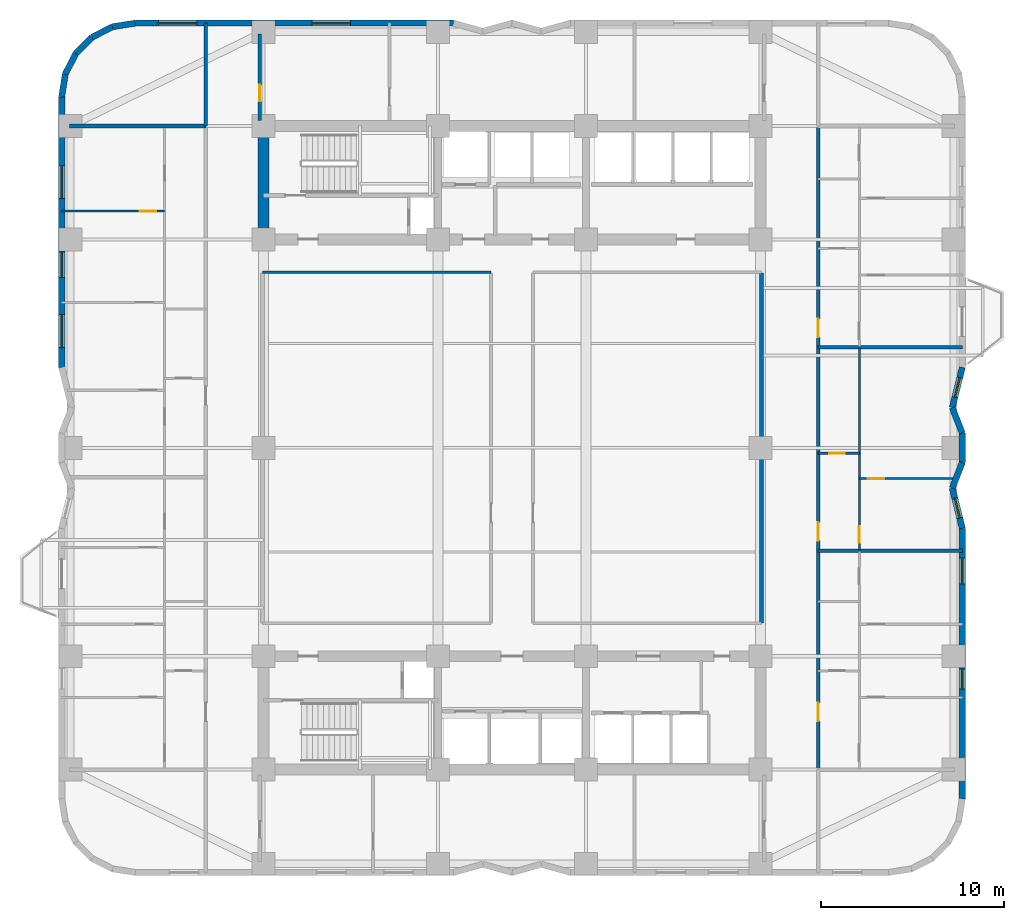
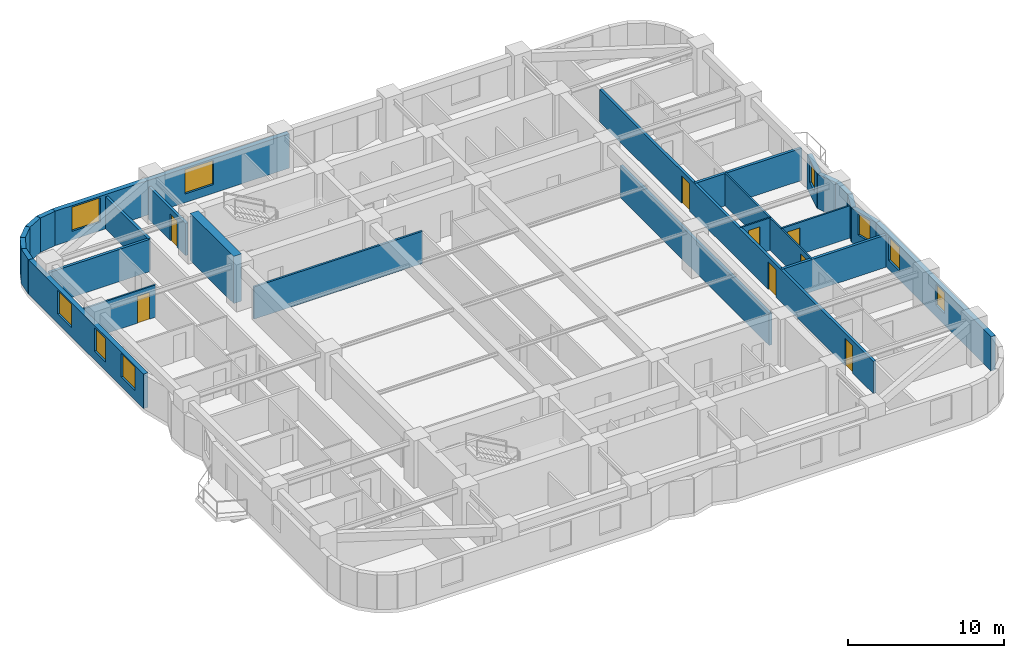
# One storey, part 5 of 9: 26 walls, 9 windows, 8 doors, 17 openings.
"""IFC4 building model written with IfcOpenShell, lengths in metres."""

from ifc_helpers import new_model, si_unit, direction, frame, frame_2d, origin, place, context, subcontext, project, spatial, rectangle, extrude, material, layer, layer_set, type_object, element, fill, save


model = new_model("IFC4")

# Units and contexts
model_context = context("Model", 3, precision=1e-05, world=origin(), true_north=direction((0.0, 1.0)))
body_context = subcontext(model_context, "Body", "Model", "MODEL_VIEW")
ifc_project = project(units=[si_unit("LENGTHUNIT", "METRE"), si_unit("AREAUNIT", "SQUARE_METRE"), si_unit("VOLUMEUNIT", "CUBIC_METRE"), si_unit("PLANEANGLEUNIT", "RADIAN"), si_unit("MASSUNIT", "GRAM", prefix="KILO")], contexts=[model_context])

# Site, building, storey
site_placement = place(None, origin())
site = spatial("IfcSite", under=ifc_project, at=site_placement, CompositionType="ELEMENT")
building_placement = place(site_placement, origin())
building = spatial("IfcBuilding", under=site, at=building_placement, Name="Svetorya Sky Lyceum", CompositionType="ELEMENT")
storey_placement = place(building_placement, frame((0.0, 0.0, 28.800048828125)))
storey = spatial("IfcBuildingStorey", under=building, at=storey_placement, Name="L06", CompositionType="ELEMENT", Elevation=28.800048828125)

# Wall
ifc_material_1 = material(Name="Concrete C60/75", Category="concrete")
ifc_layer_1 = layer(ifc_material_1, 0.60009765625)
ifc_layer_set_1 = layer_set([ifc_layer_1], Name="Concrete C60/75")
wall_type_1 = type_object("IfcWallType", Name="WL-CORE-600", PredefinedType="SHEAR", material=ifc_layer_set_1)
wall_1_placement = place(storey_placement, frame((25.60009765625, 39.89990234375, 0.0), z_axis=(0.0, 0.0, 1.0), x_axis=(0.0, 1.0, 0.0)))
element("IfcWall", 1, at=wall_1_placement, inside=storey, type_object=wall_type_1, Name="L06 NC West Core Shear Wall", PredefinedType="SHEAR", context=body_context, shape_type="SweptSolid", body=[
    extrude(rectangle(XDim=5.60009765625, YDim=0.60009765625, at=frame_2d((2.800048828125, 0.0))), origin(), (0.0, 0.0, 1.0), 3.699951171875),
])

# Wall, openings, windows
ifc_material_2 = material(Name="Putilovo limestone rainscreen on autoclaved cellular masonry", Category="masonry")
ifc_layer_2 = layer(ifc_material_2, 0.340087890625)
ifc_layer_set_2 = layer_set([ifc_layer_2], Name="Putilovo limestone rainscreen on autoclaved cellular masonry")
wall_type_2 = type_object("IfcWallType", Name="WL-EXT-340", PredefinedType="SOLIDWALL", material=ifc_layer_set_2)
wall_2_placement = place(storey_placement, frame((63.830078125, 9.0, 0.0), z_axis=(0.0, 0.0, 1.0), x_axis=(0.0, 1.0, 0.0)))
wall_2 = element("IfcWall", 2, at=wall_2_placement, inside=storey, type_object=wall_type_2, Name="L06 Limestone Exterior Wall 17M", PredefinedType="SOLIDWALL", context=body_context, shape_type="SweptSolid", body=[
    extrude(rectangle(XDim=14.800048828125, YDim=0.340087890625, at=frame_2d((7.39990234375, 0.0))), origin(), (0.0, 0.0, 1.0), 2.699951171875),
])
opening_1_placement = place(wall_2_placement, frame((6.0, 0.0, 0.889892578125)))
opening_1 = element("IfcOpeningElement", 3, at=opening_1_placement, cuts=wall_2, Name="Opening W-R3", PredefinedType="OPENING", context=body_context, shape_type="SweptSolid", body=[
    extrude(rectangle(XDim=1.10009765625, YDim=1.64990234375, at=frame_2d((0.550048828125, 0.824951171875))), frame((0.0, 0.179931640625, 0.0), z_axis=(0.0, -1.0, 0.0), x_axis=(1.0, 0.0, 0.0)), (0.0, 0.0, 1.0), 0.360107421875),
])
opening_2_placement = place(wall_2_placement, frame((11.762451171875, 0.0, 0.72998046875)))
opening_2 = element("IfcOpeningElement", 4, at=opening_2_placement, cuts=wall_2, Name="Opening W-R2", PredefinedType="OPENING", context=body_context, shape_type="SweptSolid", body=[
    extrude(rectangle(XDim=1.39990234375, YDim=1.85009765625, at=frame_2d((0.699951171875, 0.925048828125))), frame((0.0, 0.179931640625, 0.0), z_axis=(0.0, -1.0, 0.0), x_axis=(1.0, 0.0, 0.0)), (0.0, 0.0, 1.0), 0.360107421875),
])
ifc_material_3 = material(Name="Thermally broken aluminium frame with triple low-E glazing", Category="aluminium")
window_type_1 = type_object("IfcWindowType", Name="WN-RES-110", PartitioningType="SINGLE_PANEL", PredefinedType="WINDOW", material=ifc_material_3)
window_1_placement = place(opening_1_placement, origin())
window_1 = element("IfcWindow", 5, at=window_1_placement, inside=storey, type_object=window_type_1, Name="L06 Facade Window W-R3.17M.2", OverallHeight=1.64990234375, OverallWidth=1.10009765625, PartitioningType="SINGLE_PANEL", PredefinedType="WINDOW", context=body_context, shape_type="SweptSolid", body=[
    extrude(rectangle(XDim=1.10009765625, YDim=1.64990234375, at=frame_2d((0.550048828125, 0.824951171875))), frame((0.0, 0.030029296875, 0.0), z_axis=(0.0, -1.0, 0.0), x_axis=(1.0, 0.0, 0.0)), (0.0, 0.0, 1.0), 0.06005859375),
])
fill(opening_1, window_1)
window_type_2 = type_object("IfcWindowType", Name="WN-RES-140", PartitioningType="SINGLE_PANEL", PredefinedType="WINDOW", material=ifc_material_3)
window_2_placement = place(opening_2_placement, origin())
window_2 = element("IfcWindow", 6, at=window_2_placement, inside=storey, type_object=window_type_2, Name="L06 Facade Window W-R2.17M.1", OverallHeight=1.85009765625, OverallWidth=1.39990234375, PartitioningType="SINGLE_PANEL", PredefinedType="WINDOW", context=body_context, shape_type="SweptSolid", body=[
    extrude(rectangle(XDim=1.39990234375, YDim=1.85009765625, at=frame_2d((0.699951171875, 0.925048828125))), frame((0.0, 0.030029296875, 0.0), z_axis=(0.0, -1.0, 0.0), x_axis=(1.0, 0.0, 0.0)), (0.0, 0.0, 1.0), 0.06005859375),
])
fill(opening_2, window_2)

# Wall, opening, window
wall_3_placement = place(storey_placement, frame((63.830078125, 23.800048828125, 0.0), z_axis=(0.0, 0.0, 1.0), x_axis=(-0.242560957029, 0.970136166796, 0.0)))
wall_3 = element("IfcWall", 7, at=wall_3_placement, inside=storey, type_object=wall_type_2, Name="L06 Limestone Exterior Wall 18M", PredefinedType="SOLIDWALL", context=body_context, shape_type="SweptSolid", body=[
    extrude(rectangle(XDim=2.267578125, YDim=0.340087890625, at=frame_2d((1.1337890625, 0.0))), origin(), (0.0, 0.0, 1.0), 2.699951171875),
])
opening_3_placement = place(wall_3_placement, frame((0.583984375, 0.0, 0.889892578125)))
opening_3 = element("IfcOpeningElement", 8, at=opening_3_placement, cuts=wall_3, Name="Opening W-R3", PredefinedType="OPENING", context=body_context, shape_type="SweptSolid", body=[
    extrude(rectangle(XDim=1.10009765625, YDim=1.64990234375, at=frame_2d((0.550048828125, 0.824951171875))), frame((0.0, 0.179931640625, 0.0), z_axis=(0.0, -1.0, 0.0), x_axis=(1.0, 0.0, 0.0)), (0.0, 0.0, 1.0), 0.360107421875),
])
window_3_placement = place(opening_3_placement, origin())
window_3 = element("IfcWindow", 9, at=window_3_placement, inside=storey, type_object=window_type_1, Name="L06 Facade Window W-R3.18M.1", OverallHeight=1.64990234375, OverallWidth=1.10009765625, PartitioningType="SINGLE_PANEL", PredefinedType="WINDOW", context=body_context, shape_type="SweptSolid", body=[
    extrude(rectangle(XDim=1.10009765625, YDim=1.64990234375, at=frame_2d((0.550048828125, 0.824951171875))), frame((0.0, 0.030029296875, 0.0), z_axis=(0.0, -1.0, 0.0), x_axis=(1.0, 0.0, 0.0)), (0.0, 0.0, 1.0), 0.06005859375),
])
fill(opening_3, window_3)

# Walls
wall_4_placement = place(storey_placement, frame((63.280029296875, 26.0, 0.0), z_axis=(0.0, 0.0, 1.0), x_axis=(0.365702591843, 0.930731762818, 0.0)))
element("IfcWall", 10, at=wall_4_placement, inside=storey, type_object=wall_type_2, Name="L06 Limestone Exterior Wall 19M", PredefinedType="SOLIDWALL", context=body_context, shape_type="SweptSolid", body=[
    extrude(rectangle(XDim=1.504150390625, YDim=0.340087890625, at=frame_2d((0.751953125, 0.0))), origin(), (0.0, 0.0, 1.0), 2.699951171875),
])
wall_5_placement = place(storey_placement, frame((63.830078125, 27.39990234375, 0.0), z_axis=(0.0, 0.0, 1.0), x_axis=(0.0, 1.0, 0.0)))
element("IfcWall", 11, at=wall_5_placement, inside=storey, type_object=wall_type_2, Name="L06 Limestone Exterior Wall 20M", PredefinedType="SOLIDWALL", context=body_context, shape_type="SweptSolid", body=[
    extrude(rectangle(XDim=1.60009765625, YDim=0.340087890625, at=frame_2d((0.800048828125, 0.0))), origin(), (0.0, 0.0, 1.0), 2.699951171875),
])
wall_6_placement = place(storey_placement, frame((63.830078125, 29.0, 0.0), z_axis=(0.0, 0.0, 1.0), x_axis=(-0.365702591843, 0.930731762818, 0.0)))
element("IfcWall", 12, at=wall_6_placement, inside=storey, type_object=wall_type_2, Name="L06 Limestone Exterior Wall 21M", PredefinedType="SOLIDWALL", context=body_context, shape_type="SweptSolid", body=[
    extrude(rectangle(XDim=1.504150390625, YDim=0.340087890625, at=frame_2d((0.751953125, 0.0))), origin(), (0.0, 0.0, 1.0), 2.699951171875),
])

# Wall, opening, window
wall_7_placement = place(storey_placement, frame((63.280029296875, 30.39990234375, 0.0), z_axis=(0.0, 0.0, 1.0), x_axis=(0.242535625036, 0.970142500145, 0.0)))
wall_7 = element("IfcWall", 13, at=wall_7_placement, inside=storey, type_object=wall_type_2, Name="L06 Limestone Exterior Wall 22M", PredefinedType="SOLIDWALL", context=body_context, shape_type="SweptSolid", body=[
    extrude(rectangle(XDim=2.267822265625, YDim=0.340087890625, at=frame_2d((1.1337890625, 0.0))), origin(), (0.0, 0.0, 1.0), 2.699951171875),
])
opening_4_placement = place(wall_7_placement, frame((0.583984375, 0.0, 0.889892578125)))
opening_4 = element("IfcOpeningElement", 14, at=opening_4_placement, cuts=wall_7, Name="Opening W-R3", PredefinedType="OPENING", context=body_context, shape_type="SweptSolid", body=[
    extrude(rectangle(XDim=1.10009765625, YDim=1.64990234375, at=frame_2d((0.550048828125, 0.824951171875))), frame((0.0, 0.179931640625, 0.0), z_axis=(0.0, -1.0, 0.0), x_axis=(1.0, 0.0, 0.0)), (0.0, 0.0, 1.0), 0.360107421875),
])
window_4_placement = place(opening_4_placement, origin())
window_4 = element("IfcWindow", 15, at=window_4_placement, inside=storey, type_object=window_type_1, Name="L06 Facade Window W-R3.22M.1", OverallHeight=1.64990234375, OverallWidth=1.10009765625, PartitioningType="SINGLE_PANEL", PredefinedType="WINDOW", context=body_context, shape_type="SweptSolid", body=[
    extrude(rectangle(XDim=1.10009765625, YDim=1.64990234375, at=frame_2d((0.550048828125, 0.824951171875))), frame((0.0, 0.030029296875, 0.0), z_axis=(0.0, -1.0, 0.0), x_axis=(1.0, 0.0, 0.0)), (0.0, 0.0, 1.0), 0.06005859375),
])
fill(opening_4, window_4)

# Wall, openings, windows
wall_8_placement = place(storey_placement, frame((36.0, 51.429931640625, 0.0), z_axis=(0.0, 0.0, 1.0), x_axis=(-1.0, 0.0, 0.0)))
wall_8 = element("IfcWall", 16, at=wall_8_placement, inside=storey, type_object=wall_type_2, Name="L06 Limestone Exterior Wall 34M", PredefinedType="SOLIDWALL", context=body_context, shape_type="SweptSolid", body=[
    extrude(rectangle(XDim=17.39990234375, YDim=0.340087890625, at=frame_2d((8.699951171875, 0.0))), origin(), (0.0, 0.0, 1.0), 2.699951171875),
])
opening_5_placement = place(wall_8_placement, frame((5.637451171875, 0.0, 0.679931640625)))
opening_5 = element("IfcOpeningElement", 17, at=opening_5_placement, cuts=wall_8, Name="Opening W-R0", PredefinedType="OPENING", context=body_context, shape_type="SweptSolid", body=[
    extrude(rectangle(XDim=2.10009765625, YDim=1.89990234375, at=frame_2d((1.050048828125, 0.949951171875))), frame((0.0, 0.179931640625, 0.0), z_axis=(0.0, -1.0, 0.0), x_axis=(1.0, 0.0, 0.0)), (0.0, 0.0, 1.0), 0.360107421875),
])
opening_6_placement = place(wall_8_placement, frame((14.03759765625, 0.0, 0.679931640625)))
opening_6 = element("IfcOpeningElement", 18, at=opening_6_placement, cuts=wall_8, Name="Opening W-R0", PredefinedType="OPENING", context=body_context, shape_type="SweptSolid", body=[
    extrude(rectangle(XDim=2.10009765625, YDim=1.89990234375, at=frame_2d((1.050048828125, 0.949951171875))), frame((0.0, 0.179931640625, 0.0), z_axis=(0.0, -1.0, 0.0), x_axis=(1.0, 0.0, 0.0)), (0.0, 0.0, 1.0), 0.360107421875),
])
window_type_3 = type_object("IfcWindowType", Name="WN-RES-210", PartitioningType="TRIPLE_PANEL_VERTICAL", PredefinedType="WINDOW", material=ifc_material_3)
window_5_placement = place(opening_5_placement, origin())
window_5 = element("IfcWindow", 19, at=window_5_placement, inside=storey, type_object=window_type_3, Name="L06 Facade Window W-R0.34M.1", OverallHeight=1.89990234375, OverallWidth=2.10009765625, PartitioningType="SINGLE_PANEL", PredefinedType="WINDOW", context=body_context, shape_type="SweptSolid", body=[
    extrude(rectangle(XDim=2.10009765625, YDim=1.89990234375, at=frame_2d((1.050048828125, 0.949951171875))), frame((0.0, 0.030029296875, 0.0), z_axis=(0.0, -1.0, 0.0), x_axis=(1.0, 0.0, 0.0)), (0.0, 0.0, 1.0), 0.06005859375),
])
fill(opening_5, window_5)
window_6_placement = place(opening_6_placement, origin())
window_6 = element("IfcWindow", 20, at=window_6_placement, inside=storey, type_object=window_type_3, Name="L06 Facade Window W-R0.34M.2", OverallHeight=1.89990234375, OverallWidth=2.10009765625, PartitioningType="SINGLE_PANEL", PredefinedType="WINDOW", context=body_context, shape_type="SweptSolid", body=[
    extrude(rectangle(XDim=2.10009765625, YDim=1.89990234375, at=frame_2d((1.050048828125, 0.949951171875))), frame((0.0, 0.030029296875, 0.0), z_axis=(0.0, -1.0, 0.0), x_axis=(1.0, 0.0, 0.0)), (0.0, 0.0, 1.0), 0.06005859375),
])
fill(opening_6, window_6)

# Walls
wall_9_placement = place(storey_placement, frame((18.60009765625, 51.429931640625, 0.0), z_axis=(0.0, 0.0, 1.0), x_axis=(-0.98771582066, -0.156260864002, 0.0)))
element("IfcWall", 21, at=wall_9_placement, inside=storey, type_object=wall_type_2, Name="L06 Limestone Exterior Wall 35M", PredefinedType="SOLIDWALL", context=body_context, shape_type="SweptSolid", body=[
    extrude(rectangle(XDim=1.2607421875, YDim=0.340087890625, at=frame_2d((0.63037109375, 0.0))), origin(), (0.0, 0.0, 1.0), 2.699951171875),
])
for number, where, z_axis, x_axis, name in (
    (22, (17.354736328125, 51.23291015625, 0.0), (0.0, 0.0, 1.0), (-0.890993689142, -0.454015689056, 0.0), "L06 Limestone Exterior Wall 36M"),
    (23, (16.231201171875, 50.660400390625, 0.0), (0.0, 0.0, 1.0), (-0.707106781187, -0.707106781187, 0.0), "L06 Limestone Exterior Wall 37M"),
    (24, (15.339599609375, 49.768798828125, 0.0), (0.0, 0.0, 1.0), (-0.454015689056, -0.890993689142, 0.0), "L06 Limestone Exterior Wall 38M"),
):
    element("IfcWall", number, at=place(storey_placement, frame(where, z_axis=z_axis, x_axis=x_axis)), inside=storey, type_object=wall_type_2, Name=name, PredefinedType="SOLIDWALL", context=body_context, shape_type="SweptSolid", body=[
        extrude(rectangle(XDim=1.260986328125, YDim=0.340087890625, at=frame_2d((0.63037109375, 0.0))), origin(), (0.0, 0.0, 1.0), 2.699951171875),
    ])
wall_10_placement = place(storey_placement, frame((14.76708984375, 48.645263671875, 0.0), z_axis=(0.0, 0.0, 1.0), x_axis=(-0.156260864002, -0.98771582066, 0.0)))
element("IfcWall", 25, at=wall_10_placement, inside=storey, type_object=wall_type_2, Name="L06 Limestone Exterior Wall 39M", PredefinedType="SOLIDWALL", context=body_context, shape_type="SweptSolid", body=[
    extrude(rectangle(XDim=1.2607421875, YDim=0.340087890625, at=frame_2d((0.63037109375, 0.0))), origin(), (0.0, 0.0, 1.0), 2.699951171875),
])

# Wall, openings, windows
wall_11_placement = place(storey_placement, frame((14.570068359375, 47.39990234375, 0.0), z_axis=(0.0, 0.0, 1.0), x_axis=(0.0, -1.0, 0.0)))
wall_11 = element("IfcWall", 26, at=wall_11_placement, inside=storey, type_object=wall_type_2, Name="L06 Limestone Exterior Wall 40M", PredefinedType="SOLIDWALL", context=body_context, shape_type="SweptSolid", body=[
    extrude(rectangle(XDim=14.7998046875, YDim=0.340087890625, at=frame_2d((7.39990234375, 0.0))), origin(), (0.0, 0.0, 1.0), 2.699951171875),
])
opening_7_placement = place(wall_11_placement, frame((3.762451171875, 0.0, 0.72998046875)))
opening_7 = element("IfcOpeningElement", 27, at=opening_7_placement, cuts=wall_11, Name="Opening W-R1", PredefinedType="OPENING", context=body_context, shape_type="SweptSolid", body=[
    extrude(rectangle(XDim=1.800048828125, YDim=1.85009765625, at=frame_2d((0.89990234375, 0.925048828125))), frame((0.0, 0.179931640625, 0.0), z_axis=(0.0, -1.0, 0.0), x_axis=(1.0, 0.0, 0.0)), (0.0, 0.0, 1.0), 0.360107421875),
])
opening_8_placement = place(wall_11_placement, frame((8.47998046875, 0.0, 0.68994140625)))
opening_8 = element("IfcOpeningElement", 28, at=opening_8_placement, cuts=wall_11, Name="Opening W-R2", PredefinedType="OPENING", context=body_context, shape_type="SweptSolid", body=[
    extrude(rectangle(XDim=1.39990234375, YDim=1.85009765625, at=frame_2d((0.699951171875, 0.925048828125))), frame((0.0, 0.179931640625, 0.0), z_axis=(0.0, -1.0, 0.0), x_axis=(1.0, 0.0, 0.0)), (0.0, 0.0, 1.0), 0.360107421875),
])
opening_9_placement = place(wall_11_placement, frame((11.91259765625, 0.0, 0.72998046875)))
opening_9 = element("IfcOpeningElement", 29, at=opening_9_placement, cuts=wall_11, Name="Opening W-R1", PredefinedType="OPENING", context=body_context, shape_type="SweptSolid", body=[
    extrude(rectangle(XDim=1.800048828125, YDim=1.85009765625, at=frame_2d((0.89990234375, 0.925048828125))), frame((0.0, 0.179931640625, 0.0), z_axis=(0.0, -1.0, 0.0), x_axis=(1.0, 0.0, 0.0)), (0.0, 0.0, 1.0), 0.360107421875),
])
window_7_placement = place(opening_8_placement, origin())
window_7 = element("IfcWindow", 30, at=window_7_placement, inside=storey, type_object=window_type_2, Name="L06 Facade Window W-R2.40M.3", OverallHeight=1.85009765625, OverallWidth=1.39990234375, PartitioningType="SINGLE_PANEL", PredefinedType="WINDOW", context=body_context, shape_type="SweptSolid", body=[
    extrude(rectangle(XDim=1.39990234375, YDim=1.85009765625, at=frame_2d((0.699951171875, 0.925048828125))), frame((0.0, 0.030029296875, 0.0), z_axis=(0.0, -1.0, 0.0), x_axis=(1.0, 0.0, 0.0)), (0.0, 0.0, 1.0), 0.06005859375),
])
fill(opening_8, window_7)
window_type_4 = type_object("IfcWindowType", Name="WN-RES-180", PartitioningType="DOUBLE_PANEL_VERTICAL", PredefinedType="WINDOW", material=ifc_material_3)
window_8_placement = place(opening_7_placement, origin())
window_8 = element("IfcWindow", 31, at=window_8_placement, inside=storey, type_object=window_type_4, Name="L06 Facade Window W-R1.40M.1", OverallHeight=1.85009765625, OverallWidth=1.800048828125, PartitioningType="SINGLE_PANEL", PredefinedType="WINDOW", context=body_context, shape_type="SweptSolid", body=[
    extrude(rectangle(XDim=1.800048828125, YDim=1.85009765625, at=frame_2d((0.89990234375, 0.925048828125))), frame((0.0, 0.030029296875, 0.0), z_axis=(0.0, -1.0, 0.0), x_axis=(1.0, 0.0, 0.0)), (0.0, 0.0, 1.0), 0.06005859375),
])
fill(opening_7, window_8)
window_9_placement = place(opening_9_placement, origin())
window_9 = element("IfcWindow", 32, at=window_9_placement, inside=storey, type_object=window_type_4, Name="L06 Facade Window W-R1.40M.2", OverallHeight=1.85009765625, OverallWidth=1.800048828125, PartitioningType="SINGLE_PANEL", PredefinedType="WINDOW", context=body_context, shape_type="SweptSolid", body=[
    extrude(rectangle(XDim=1.800048828125, YDim=1.85009765625, at=frame_2d((0.89990234375, 0.925048828125))), frame((0.0, 0.030029296875, 0.0), z_axis=(0.0, -1.0, 0.0), x_axis=(1.0, 0.0, 0.0)), (0.0, 0.0, 1.0), 0.06005859375),
])
fill(opening_9, window_9)

# Wall, opening, door
ifc_material_4 = material(Name="Twin-stud galvanized framing with double fireboard", Category="gypsum")
ifc_layer_3 = layer(ifc_material_4, 0.1201171875)
ifc_layer_set_3 = layer_set([ifc_layer_3], Name="Twin-stud galvanized framing with double fireboard")
wall_type_3 = type_object("IfcWallType", Name="WL-PART-120", PredefinedType="PARTITIONING", material=ifc_layer_set_3)
wall_12_placement = place(storey_placement, frame((14.570068359375, 41.14990234375, 0.0), z_axis=(0.0, 0.0, 1.0), x_axis=(1.0, 0.0, 0.0)))
wall_12 = element("IfcWall", 33, at=wall_12_placement, inside=storey, type_object=wall_type_3, Name="L06 Interior Partition W2-WL3", PredefinedType="PARTITIONING", context=body_context, shape_type="SweptSolid", body=[
    extrude(rectangle(XDim=5.6298828125, YDim=0.1201171875, at=frame_2d((2.81494140625, 0.0))), origin(), (0.0, 0.0, 1.0), 2.530029296875),
])
opening_10_placement = place(wall_12_placement, frame((4.280029296875, 0.0, 0.0)))
opening_10 = element("IfcOpeningElement", 34, at=opening_10_placement, cuts=wall_12, Name="Opening D-RM1", PredefinedType="OPENING", context=body_context, shape_type="SweptSolid", body=[
    extrude(rectangle(XDim=0.89990234375, YDim=2.10009765625, at=frame_2d((0.449951171875, 1.050048828125))), frame((0.0, 0.070068359375, 0.0), z_axis=(0.0, -1.0, 0.0), x_axis=(1.0, 0.0, 0.0)), (0.0, 0.0, 1.0), 0.14013671875),
])
ifc_material_5 = material(Name="Lacquered birch veneer internal door")
door_type_1 = type_object("IfcDoorType", Name="DR-INT-900", OperationType="SINGLE_SWING_LEFT", PredefinedType="DOOR", material=ifc_material_5)
door_1_placement = place(opening_10_placement, origin())
door_1 = element("IfcDoor", 35, at=door_1_placement, inside=storey, type_object=door_type_1, Name="Apartment W2 Bedroom 3 Door", OperationType="SINGLE_SWING_RIGHT", OverallHeight=2.10009765625, OverallWidth=0.89990234375, PredefinedType="DOOR", context=body_context, shape_type="SweptSolid", body=[
    extrude(rectangle(XDim=0.89990234375, YDim=2.10009765625, at=frame_2d((0.449951171875, 1.050048828125))), frame((0.0, 0.02490234375, 0.0), z_axis=(0.0, -1.0, 0.0), x_axis=(1.0, 0.0, 0.0)), (0.0, 0.0, 1.0), 0.050048828125),
])
fill(opening_10, door_1)

wall_13_placement = place(storey_placement, frame((55.949951171875, 27.907958984375, 0.0), z_axis=(0.0, 0.0, 1.0), x_axis=(1.0, 0.0, 0.0)))
wall_13 = element("IfcWall", 36, at=wall_13_placement, inside=storey, type_object=wall_type_3, Name="L06 Interior Partition E2-WH1", PredefinedType="PARTITIONING", context=body_context, shape_type="SweptSolid", body=[
    extrude(rectangle(XDim=2.25, YDim=0.1201171875, at=frame_2d((1.125, 0.0))), origin(), (0.0, 0.0, 1.0), 2.530029296875),
])
opening_11_placement = place(wall_13_placement, frame((0.60009765625, 0.0, 0.0)))
opening_11 = element("IfcOpeningElement", 37, at=opening_11_placement, cuts=wall_13, Name="Opening D-BT1", PredefinedType="OPENING", context=body_context, shape_type="SweptSolid", body=[
    extrude(rectangle(XDim=0.85009765625, YDim=2.10009765625, at=frame_2d((0.425048828125, 1.050048828125))), frame((0.0, 0.070068359375, 0.0), z_axis=(0.0, -1.0, 0.0), x_axis=(1.0, 0.0, 0.0)), (0.0, 0.0, 1.0), 0.14013671875),
])
ifc_material_6 = material(Name="Moisture-resistant laminate bathroom door")
door_type_2 = type_object("IfcDoorType", Name="DR-WET-850", OperationType="SINGLE_SWING_LEFT", PredefinedType="DOOR", material=ifc_material_6)
door_2_placement = place(opening_11_placement, origin())
door_2 = element("IfcDoor", 38, at=door_2_placement, inside=storey, type_object=door_type_2, Name="Apartment E2 Bathroom Door", OperationType="SINGLE_SWING_LEFT", OverallHeight=2.10009765625, OverallWidth=0.85009765625, PredefinedType="DOOR", context=body_context, shape_type="SweptSolid", body=[
    extrude(rectangle(XDim=0.85009765625, YDim=2.10009765625, at=frame_2d((0.425048828125, 1.050048828125))), frame((0.0, 0.02490234375, 0.0), z_axis=(0.0, -1.0, 0.0), x_axis=(1.0, 0.0, 0.0)), (0.0, 0.0, 1.0), 0.050048828125),
])
fill(opening_11, door_2)

wall_14_placement = place(storey_placement, frame((58.199951171875, 26.51806640625, 0.0), z_axis=(0.0, 0.0, 1.0), x_axis=(1.0, 0.0, 0.0)))
wall_14 = element("IfcWall", 39, at=wall_14_placement, inside=storey, type_object=wall_type_3, Name="L06 Interior Partition E2-WL1", PredefinedType="PARTITIONING", context=body_context, shape_type="SweptSolid", body=[
    extrude(rectangle(XDim=5.283447265625, YDim=0.1201171875, at=frame_2d((2.6416015625, 0.0))), origin(), (0.0, 0.0, 1.0), 2.530029296875),
])
opening_12_placement = place(wall_14_placement, frame((0.449951171875, 0.0, 0.0)))
opening_12 = element("IfcOpeningElement", 40, at=opening_12_placement, cuts=wall_14, Name="Opening D-RM1", PredefinedType="OPENING", context=body_context, shape_type="SweptSolid", body=[
    extrude(rectangle(XDim=0.89990234375, YDim=2.10009765625, at=frame_2d((0.449951171875, 1.050048828125))), frame((0.0, 0.070068359375, 0.0), z_axis=(0.0, -1.0, 0.0), x_axis=(1.0, 0.0, 0.0)), (0.0, 0.0, 1.0), 0.14013671875),
])
door_3_placement = place(opening_12_placement, origin())
door_3 = element("IfcDoor", 41, at=door_3_placement, inside=storey, type_object=door_type_1, Name="Apartment E2 Bedroom 1 Door", OperationType="SINGLE_SWING_LEFT", OverallHeight=2.10009765625, OverallWidth=0.89990234375, PredefinedType="DOOR", context=body_context, shape_type="SweptSolid", body=[
    extrude(rectangle(XDim=0.89990234375, YDim=2.10009765625, at=frame_2d((0.449951171875, 1.050048828125))), frame((0.0, 0.02490234375, 0.0), z_axis=(0.0, -1.0, 0.0), x_axis=(1.0, 0.0, 0.0)), (0.0, 0.0, 1.0), 0.050048828125),
])
fill(opening_12, door_3)

wall_15_placement = place(storey_placement, frame((58.199951171875, 22.60791015625, 0.0), z_axis=(0.0, 0.0, 1.0), x_axis=(0.0, 1.0, 0.0)))
wall_15 = element("IfcWall", 42, at=wall_15_placement, inside=storey, type_object=wall_type_3, Name="L06 Interior Partition E2-WV", PredefinedType="PARTITIONING", context=body_context, shape_type="SweptSolid", body=[
    extrude(rectangle(XDim=11.052001953125, YDim=0.1201171875, at=frame_2d((5.52587890625, 0.0))), origin(), (0.0, 0.0, 1.0), 2.530029296875),
])
opening_13_placement = place(wall_15_placement, frame((0.409912109375, 0.0, 0.0)))
opening_13 = element("IfcOpeningElement", 43, at=opening_13_placement, cuts=wall_15, Name="Opening D-RM1", PredefinedType="OPENING", context=body_context, shape_type="SweptSolid", body=[
    extrude(rectangle(XDim=0.89990234375, YDim=2.10009765625, at=frame_2d((0.449951171875, 1.050048828125))), frame((0.0, 0.070068359375, 0.0), z_axis=(0.0, -1.0, 0.0), x_axis=(1.0, 0.0, 0.0)), (0.0, 0.0, 1.0), 0.14013671875),
])
door_4_placement = place(opening_13_placement, origin())
door_4 = element("IfcDoor", 44, at=door_4_placement, inside=storey, type_object=door_type_1, Name="Apartment E2 Living Door", OperationType="SINGLE_SWING_RIGHT", OverallHeight=2.10009765625, OverallWidth=0.89990234375, PredefinedType="DOOR", context=body_context, shape_type="SweptSolid", body=[
    extrude(rectangle(XDim=0.89990234375, YDim=2.10009765625, at=frame_2d((0.449951171875, 1.050048828125))), frame((0.0, 0.02490234375, 0.0), z_axis=(0.0, -1.0, 0.0), x_axis=(1.0, 0.0, 0.0)), (0.0, 0.0, 1.0), 0.050048828125),
])
fill(opening_13, door_4)

# Walls
ifc_material_7 = material(Name="Autoclaved cellular masonry blockwork with acoustic render", Category="masonry")
ifc_layer_4 = layer(ifc_material_7, 0.14990234375)
ifc_layer_set_4 = layer_set([ifc_layer_4], Name="Autoclaved cellular masonry blockwork with acoustic render")
wall_type_4 = type_object("IfcWallType", Name="WL-PART-150", PredefinedType="PARTITIONING", material=ifc_layer_set_4)
wall_16_placement = place(storey_placement, frame((25.550048828125, 37.800048828125, 0.0), z_axis=(0.0, 0.0, 1.0), x_axis=(1.0, 0.0, 0.0)))
element("IfcWall", 45, at=wall_16_placement, inside=storey, type_object=wall_type_4, Name="L06 Interior Partition CN-MID-W", PredefinedType="PARTITIONING", context=body_context, shape_type="SweptSolid", body=[
    extrude(rectangle(XDim=12.5, YDim=0.14990234375, at=frame_2d((6.25, 0.0))), origin(), (0.0, 0.0, 1.0), 2.530029296875),
])
ifc_material_8 = material(Name="Autoclaved cellular masonry blockwork with gypsum plaster", Category="masonry")
ifc_layer_5 = layer(ifc_material_8, 0.199951171875)
ifc_layer_set_5 = layer_set([ifc_layer_5], Name="Autoclaved cellular masonry blockwork with gypsum plaster")
wall_type_5 = type_object("IfcWallType", Name="WL-PART-200", PredefinedType="PARTITIONING", material=ifc_layer_set_5)
wall_17_placement = place(storey_placement, frame((52.85009765625, 18.6298828125, 0.0), z_axis=(0.0, 0.0, 1.0), x_axis=(0.0, 1.0, 0.0)))
element("IfcWall", 46, at=wall_17_placement, inside=storey, type_object=wall_type_5, Name="L06 Interior Partition E-CEN-SEP", PredefinedType="PARTITIONING", context=body_context, shape_type="SweptSolid", body=[
    extrude(rectangle(XDim=19.14013671875, YDim=0.199951171875, at=frame_2d((9.570068359375, 0.0))), origin(), (0.0, 0.0, 1.0), 2.530029296875),
])
wall_18_placement = place(storey_placement, frame((14.989990234375, 45.800048828125, 0.0), z_axis=(0.0, 0.0, 1.0), x_axis=(1.0, 0.0, 0.0)))
element("IfcWall", 47, at=wall_18_placement, inside=storey, type_object=wall_type_5, Name="L06 Interior Partition W-CAP-N", PredefinedType="PARTITIONING", context=body_context, shape_type="SweptSolid", body=[
    extrude(rectangle(XDim=7.4599609375, YDim=0.199951171875, at=frame_2d((3.72998046875, 0.0))), origin(), (0.0, 0.0, 1.0), 2.530029296875),
])
for number, where, z_axis, x_axis, name in (
    (48, (55.949951171875, 22.568115234375, 0.0), (0.0, 0.0, 1.0), (1.0, 0.0, 0.0), "L06 Interior Partition E-PARTY-1"),
    (49, (55.949951171875, 33.699951171875, 0.0), (0.0, 0.0, 1.0), (1.0, 0.0, 0.0), "L06 Interior Partition E-PARTY-2"),
):
    element("IfcWall", number, at=place(storey_placement, frame(where, z_axis=z_axis, x_axis=x_axis)), inside=storey, type_object=wall_type_5, Name=name, PredefinedType="PARTITIONING", context=body_context, shape_type="SweptSolid", body=[
        extrude(rectangle(XDim=7.880126953125, YDim=0.199951171875, at=frame_2d((3.93994140625, 0.0))), origin(), (0.0, 0.0, 1.0), 2.530029296875),
    ])

# Wall, openings, doors
wall_19_placement = place(storey_placement, frame((55.949951171875, 10.60009765625, 0.0), z_axis=(0.0, 0.0, 1.0), x_axis=(0.0, 1.0, 0.0)))
wall_19 = element("IfcWall", 50, at=wall_19_placement, inside=storey, type_object=wall_type_5, Name="L06 Interior Partition E-CORRW", PredefinedType="PARTITIONING", context=body_context, shape_type="SweptSolid", body=[
    extrude(rectangle(XDim=35.199951171875, YDim=0.199951171875, at=frame_2d((17.60009765625, 0.0))), origin(), (0.0, 0.0, 1.0), 2.530029296875),
])
opening_14_placement = place(wall_19_placement, frame((2.64990234375, 0.0, 0.0)))
opening_14 = element("IfcOpeningElement", 51, at=opening_14_placement, cuts=wall_19, Name="Opening D-APT1", PredefinedType="OPENING", context=body_context, shape_type="SweptSolid", body=[
    extrude(rectangle(XDim=1.0, YDim=2.14990234375, at=frame_2d((0.5, 1.074951171875))), frame((0.0, 0.10986328125, 0.0), z_axis=(0.0, -1.0, 0.0), x_axis=(1.0, 0.0, 0.0)), (0.0, 0.0, 1.0), 0.219970703125),
])
opening_15_placement = place(wall_19_placement, frame((12.51806640625, 0.0, 0.0)))
opening_15 = element("IfcOpeningElement", 52, at=opening_15_placement, cuts=wall_19, Name="Opening D-APT1", PredefinedType="OPENING", context=body_context, shape_type="SweptSolid", body=[
    extrude(rectangle(XDim=1.0, YDim=2.14990234375, at=frame_2d((0.5, 1.074951171875))), frame((0.0, 0.10986328125, 0.0), z_axis=(0.0, -1.0, 0.0), x_axis=(1.0, 0.0, 0.0)), (0.0, 0.0, 1.0), 0.219970703125),
])
opening_16_placement = place(wall_19_placement, frame((23.64990234375, 0.0, 0.0)))
opening_16 = element("IfcOpeningElement", 53, at=opening_16_placement, cuts=wall_19, Name="Opening D-APT1", PredefinedType="OPENING", context=body_context, shape_type="SweptSolid", body=[
    extrude(rectangle(XDim=1.0, YDim=2.14990234375, at=frame_2d((0.5, 1.074951171875))), frame((0.0, 0.10986328125, 0.0), z_axis=(0.0, -1.0, 0.0), x_axis=(1.0, 0.0, 0.0)), (0.0, 0.0, 1.0), 0.219970703125),
])
ifc_material_9 = material(Name="Insulated oak-veneered apartment entrance door")
door_type_3 = type_object("IfcDoorType", Name="DR-APT-1000", OperationType="SINGLE_SWING_LEFT", PredefinedType="DOOR", material=ifc_material_9)
door_5_placement = place(opening_14_placement, origin())
door_5 = element("IfcDoor", 54, at=door_5_placement, inside=storey, type_object=door_type_3, Name="L06 Apartment E1 Entrance Door", OperationType="SINGLE_SWING_RIGHT", OverallHeight=2.14990234375, OverallWidth=1.0, PredefinedType="DOOR", context=body_context, shape_type="SweptSolid", body=[
    extrude(rectangle(XDim=1.0, YDim=2.14990234375, at=frame_2d((0.5, 1.074951171875))), frame((0.0, 0.02490234375, 0.0), z_axis=(0.0, -1.0, 0.0), x_axis=(1.0, 0.0, 0.0)), (0.0, 0.0, 1.0), 0.050048828125),
])
fill(opening_14, door_5)
door_6_placement = place(opening_15_placement, origin())
door_6 = element("IfcDoor", 55, at=door_6_placement, inside=storey, type_object=door_type_3, Name="L06 Apartment E2 Entrance Door", OperationType="SINGLE_SWING_LEFT", OverallHeight=2.14990234375, OverallWidth=1.0, PredefinedType="DOOR", context=body_context, shape_type="SweptSolid", body=[
    extrude(rectangle(XDim=1.0, YDim=2.14990234375, at=frame_2d((0.5, 1.074951171875))), frame((0.0, 0.02490234375, 0.0), z_axis=(0.0, -1.0, 0.0), x_axis=(1.0, 0.0, 0.0)), (0.0, 0.0, 1.0), 0.050048828125),
])
fill(opening_15, door_6)
door_7_placement = place(opening_16_placement, origin())
door_7 = element("IfcDoor", 56, at=door_7_placement, inside=storey, type_object=door_type_3, Name="L06 Apartment E3 Entrance Door", OperationType="SINGLE_SWING_RIGHT", OverallHeight=2.14990234375, OverallWidth=1.0, PredefinedType="DOOR", context=body_context, shape_type="SweptSolid", body=[
    extrude(rectangle(XDim=1.0, YDim=2.14990234375, at=frame_2d((0.5, 1.074951171875))), frame((0.0, 0.02490234375, 0.0), z_axis=(0.0, -1.0, 0.0), x_axis=(1.0, 0.0, 0.0)), (0.0, 0.0, 1.0), 0.050048828125),
])
fill(opening_16, door_7)

# Wall
wall_20_placement = place(storey_placement, frame((22.449951171875, 45.800048828125, 0.0), z_axis=(0.0, 0.0, 1.0), x_axis=(0.0, 1.0, 0.0)))
element("IfcWall", 57, at=wall_20_placement, inside=storey, type_object=wall_type_5, Name="L06 Interior Partition WC-NW-END", PredefinedType="PARTITIONING", context=body_context, shape_type="SweptSolid", body=[
    extrude(rectangle(XDim=5.6298828125, YDim=0.199951171875, at=frame_2d((2.81494140625, 0.0))), origin(), (0.0, 0.0, 1.0), 2.530029296875),
])

# Wall, opening, door
wall_21_placement = place(storey_placement, frame((25.39990234375, 46.10009765625, 0.0), z_axis=(0.0, 0.0, 1.0), x_axis=(0.0, 1.0, 0.0)))
wall_21 = element("IfcWall", 58, at=wall_21_placement, inside=storey, type_object=wall_type_5, Name="L06 Interior Partition N-EW", PredefinedType="PARTITIONING", context=body_context, shape_type="SweptSolid", body=[
    extrude(rectangle(XDim=4.72998046875, YDim=0.199951171875, at=frame_2d((2.364990234375, 0.0))), origin(), (0.0, 0.0, 1.0), 2.530029296875),
])
opening_17_placement = place(wall_21_placement, frame((1.050048828125, 0.0, 0.0)))
opening_17 = element("IfcOpeningElement", 59, at=opening_17_placement, cuts=wall_21, Name="Opening D-RM1", PredefinedType="OPENING", context=body_context, shape_type="SweptSolid", body=[
    extrude(rectangle(XDim=0.89990234375, YDim=2.10009765625, at=frame_2d((0.449951171875, 1.050048828125))), frame((0.0, 0.10986328125, 0.0), z_axis=(0.0, -1.0, 0.0), x_axis=(1.0, 0.0, 0.0)), (0.0, 0.0, 1.0), 0.219970703125),
])
door_8_placement = place(opening_17_placement, origin())
door_8 = element("IfcDoor", 60, at=door_8_placement, inside=storey, type_object=door_type_1, Name="L06 North Study Door", OperationType="SINGLE_SWING_RIGHT", OverallHeight=2.10009765625, OverallWidth=0.89990234375, PredefinedType="DOOR", context=body_context, shape_type="SweptSolid", body=[
    extrude(rectangle(XDim=0.89990234375, YDim=2.10009765625, at=frame_2d((0.449951171875, 1.050048828125))), frame((0.0, 0.02490234375, 0.0), z_axis=(0.0, -1.0, 0.0), x_axis=(1.0, 0.0, 0.0)), (0.0, 0.0, 1.0), 0.050048828125),
])
fill(opening_17, door_8)

save(model, "model.ifc")
